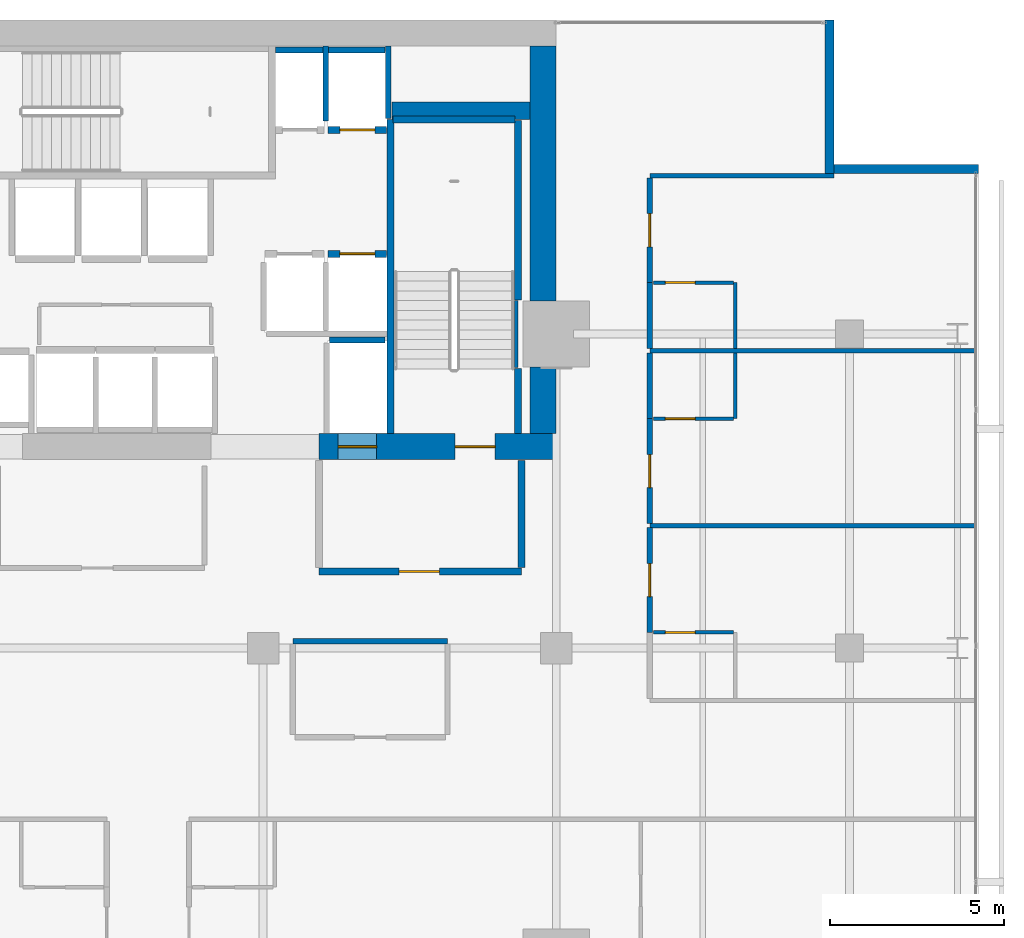
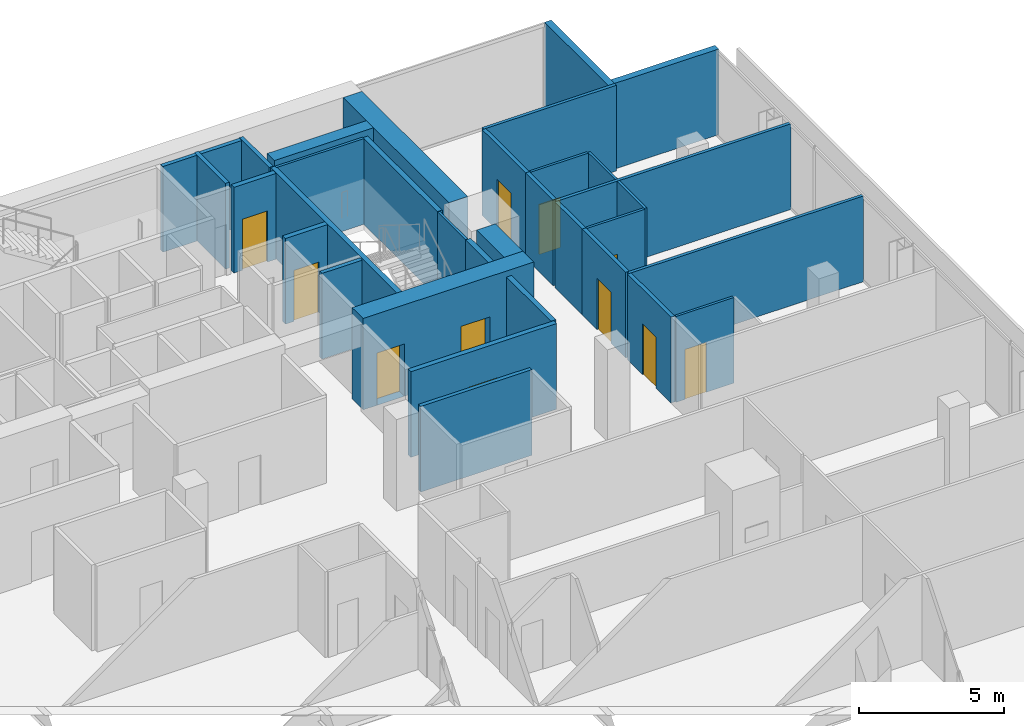
# One storey, part 31 of 34: 33 walls, 11 doors, 11 openings.
"""IFC4 building model written with IfcOpenShell, lengths in metres."""

from ifc_helpers import new_model, si_unit, direction, frame, frame_2d, origin, place, context, subcontext, project, spatial, rectangle, extrude, material, layer, layer_set, type_object, element, fill, save


model = new_model("IFC4")

# Units and contexts
model_context = context("Model", 3, precision=1e-05, world=origin(), true_north=direction((0.0, 1.0)))
body_context = subcontext(model_context, "Body", "Model", "MODEL_VIEW")
ifc_project = project(units=[si_unit("LENGTHUNIT", "METRE"), si_unit("AREAUNIT", "SQUARE_METRE"), si_unit("VOLUMEUNIT", "CUBIC_METRE"), si_unit("PLANEANGLEUNIT", "RADIAN"), si_unit("MASSUNIT", "GRAM", prefix="KILO")], contexts=[model_context])

# Site, building, storey
site_placement = place(None, origin())
site = spatial("IfcSite", under=ifc_project, at=site_placement, CompositionType="ELEMENT")
building_placement = place(site_placement, origin())
building = spatial("IfcBuilding", under=site, at=building_placement, Name="Maruvema Waterfront Hotel and Observation Tower", CompositionType="ELEMENT")
storey_placement = place(building_placement, frame((0.0, 0.0, 173.60009765625)))
storey = spatial("IfcBuildingStorey", under=building, at=storey_placement, Name="L42", CompositionType="ELEMENT", Elevation=173.60009765625)

# Wall
ifc_material_1 = material(Name="Twin-stud acoustic gypsum drywall", Category="gypsum")
ifc_layer_1 = layer(ifc_material_1, 0.14990234375, Name="Acoustic Corridor and Suite Demising Wall 150 mm")
ifc_layer_set_1 = layer_set([ifc_layer_1], Name="Twin-stud acoustic gypsum drywall")
wall_type_1 = type_object("IfcWallType", Name="Acoustic Corridor and Suite Demising Wall 150 mm", PredefinedType="PARTITIONING", material=ifc_layer_set_1)
wall_1_placement = place(storey_placement, frame((42.85009765625, 36.199951171875, 0.0), z_axis=(0.0, 0.0, 1.0), x_axis=(1.0, 0.0, 0.0)))
element("IfcWall", 1, at=wall_1_placement, inside=storey, type_object=wall_type_1, Name="L42 L42-M2 Back Wall 025", PredefinedType="PARTITIONING", context=body_context, shape_type="SweptSolid", body=[
    extrude(rectangle(XDim=4.429931640625, YDim=0.14990234375, at=frame_2d((2.21484375, 0.0))), origin(), (0.0, 0.0, 1.0), 3.60986328125),
])

# Wall, opening, door
wall_2_placement = place(storey_placement, frame((53.080078125, 36.449951171875, 0.0), z_axis=(0.0, 0.0, 1.0), x_axis=(0.0, 1.0, 0.0)))
wall_2 = element("IfcWall", 2, at=wall_2_placement, inside=storey, type_object=wall_type_1, Name="L42 Room L42-NE1 Corridor Wall 114", PredefinedType="PARTITIONING", context=body_context, shape_type="SweptSolid", body=[
    extrude(rectangle(XDim=3.00244140625, YDim=0.14990234375, at=frame_2d((1.501220703125, 0.0))), origin(), (0.0, 0.0, 1.0), 3.60986328125),
])
opening_1_placement = place(wall_2_placement, frame((1.026123046875, 0.0, 0.0)))
opening_1 = element("IfcOpeningElement", 3, at=opening_1_placement, cuts=wall_2, Name="Opening DR-095", PredefinedType="OPENING", context=body_context, shape_type="SweptSolid", body=[
    extrude(rectangle(XDim=0.949951171875, YDim=2.14990234375, at=frame_2d((0.47509765625, 1.074951171875))), frame((0.0, 0.0849609375, 0.0), z_axis=(0.0, -1.0, 0.0), x_axis=(1.0, 0.0, 0.0)), (0.0, 0.0, 1.0), 0.169921875),
])
ifc_material_2 = material(Name="Acoustic solid-core hardwood timber leaf", Category="wood")
door_type_1 = type_object("IfcDoorType", Name="Guestroom Entrance Fire Door 950x2150 mm", OperationType="NOTDEFINED", PredefinedType="DOOR", material=ifc_material_2)
door_1_placement = place(opening_1_placement, frame((0.949951171875, 0.0, 0.0), z_axis=(0.0, 0.0, 1.0), x_axis=(-1.0, 0.0, 0.0)))
door_1 = element("IfcDoor", 4, at=door_1_placement, inside=storey, type_object=door_type_1, Name="L42 Room L42-NE1 Entrance Door", OperationType="SINGLE_SWING_LEFT", OverallHeight=2.14990234375, OverallWidth=0.949951171875, PredefinedType="DOOR", context=body_context, shape_type="SweptSolid", body=[
    extrude(rectangle(XDim=0.949951171875, YDim=2.14990234375, at=frame_2d((0.47509765625, 1.074951171875))), frame((0.0, 0.02490234375, 0.0), z_axis=(0.0, -1.0, 0.0), x_axis=(1.0, 0.0, 0.0)), (0.0, 0.0, 1.0), 0.050048828125),
])
fill(opening_1, door_1)

wall_3_placement = place(storey_placement, frame((53.080078125, 39.572509765625, 0.0), z_axis=(0.0, 0.0, 1.0), x_axis=(0.0, 1.0, 0.0)))
wall_3 = element("IfcWall", 5, at=wall_3_placement, inside=storey, type_object=wall_type_1, Name="L42 Room L42-NE2 Corridor Wall 123", PredefinedType="PARTITIONING", context=body_context, shape_type="SweptSolid", body=[
    extrude(rectangle(XDim=3.00244140625, YDim=0.14990234375, at=frame_2d((1.501220703125, 0.0))), origin(), (0.0, 0.0, 1.0), 3.60986328125),
])
opening_2_placement = place(wall_3_placement, frame((1.0263671875, 0.0, 0.0)))
opening_2 = element("IfcOpeningElement", 6, at=opening_2_placement, cuts=wall_3, Name="Opening DR-095", PredefinedType="OPENING", context=body_context, shape_type="SweptSolid", body=[
    extrude(rectangle(XDim=0.949951171875, YDim=2.14990234375, at=frame_2d((0.47509765625, 1.074951171875))), frame((0.0, 0.0849609375, 0.0), z_axis=(0.0, -1.0, 0.0), x_axis=(1.0, 0.0, 0.0)), (0.0, 0.0, 1.0), 0.169921875),
])
door_2_placement = place(opening_2_placement, frame((0.949951171875, 0.0, 0.0), z_axis=(0.0, 0.0, 1.0), x_axis=(-1.0, 0.0, 0.0)))
door_2 = element("IfcDoor", 7, at=door_2_placement, inside=storey, type_object=door_type_1, Name="L42 Room L42-NE2 Entrance Door", OperationType="SINGLE_SWING_LEFT", OverallHeight=2.14990234375, OverallWidth=0.949951171875, PredefinedType="DOOR", context=body_context, shape_type="SweptSolid", body=[
    extrude(rectangle(XDim=0.949951171875, YDim=2.14990234375, at=frame_2d((0.47509765625, 1.074951171875))), frame((0.0, 0.02490234375, 0.0), z_axis=(0.0, -1.0, 0.0), x_axis=(1.0, 0.0, 0.0)), (0.0, 0.0, 1.0), 0.050048828125),
])
fill(opening_2, door_2)

# Walls
for number, where, z_axis, x_axis, name in (
    (8, (53.080078125, 42.574951171875, 0.0), (0.0, 0.0, 1.0), (0.0, 1.0, 0.0), "L42 Bath L42-NE2 Wall 124"),
    (9, (53.080078125, 44.5849609375, 0.0), (0.0, 0.0, 1.0), (0.0, 1.0, 0.0), "L42 Bath L42-NE3 Wall 133"),
):
    element("IfcWall", number, at=place(storey_placement, frame(where, z_axis=z_axis, x_axis=x_axis)), inside=storey, type_object=wall_type_1, Name=name, PredefinedType="PARTITIONING", context=body_context, shape_type="SweptSolid", body=[
        extrude(rectangle(XDim=1.89013671875, YDim=0.14990234375, at=frame_2d((0.945068359375, 0.0))), origin(), (0.0, 0.0, 1.0), 3.60986328125),
    ])

# Wall, opening, door
wall_4_placement = place(storey_placement, frame((53.080078125, 46.47509765625, 0.0), z_axis=(0.0, 0.0, 1.0), x_axis=(0.0, 1.0, 0.0)))
wall_4 = element("IfcWall", 10, at=wall_4_placement, inside=storey, type_object=wall_type_1, Name="L42 Room L42-NE3 Corridor Wall 134", PredefinedType="PARTITIONING", context=body_context, shape_type="SweptSolid", body=[
    extrude(rectangle(XDim=3.00244140625, YDim=0.14990234375, at=frame_2d((1.501220703125, 0.0))), origin(), (0.0, 0.0, 1.0), 3.60986328125),
])
opening_3_placement = place(wall_4_placement, frame((1.026123046875, 0.0, 0.0)))
opening_3 = element("IfcOpeningElement", 11, at=opening_3_placement, cuts=wall_4, Name="Opening DR-095", PredefinedType="OPENING", context=body_context, shape_type="SweptSolid", body=[
    extrude(rectangle(XDim=0.949951171875, YDim=2.14990234375, at=frame_2d((0.47509765625, 1.074951171875))), frame((0.0, 0.0849609375, 0.0), z_axis=(0.0, -1.0, 0.0), x_axis=(1.0, 0.0, 0.0)), (0.0, 0.0, 1.0), 0.169921875),
])
door_3_placement = place(opening_3_placement, frame((0.949951171875, 0.0, 0.0), z_axis=(0.0, 0.0, 1.0), x_axis=(-1.0, 0.0, 0.0)))
door_3 = element("IfcDoor", 12, at=door_3_placement, inside=storey, type_object=door_type_1, Name="L42 Room L42-NE3 Entrance Door", OperationType="SINGLE_SWING_LEFT", OverallHeight=2.14990234375, OverallWidth=0.949951171875, PredefinedType="DOOR", context=body_context, shape_type="SweptSolid", body=[
    extrude(rectangle(XDim=0.949951171875, YDim=2.14990234375, at=frame_2d((0.47509765625, 1.074951171875))), frame((0.0, 0.02490234375, 0.0), z_axis=(0.0, -1.0, 0.0), x_axis=(1.0, 0.0, 0.0)), (0.0, 0.0, 1.0), 0.050048828125),
])
fill(opening_3, door_3)

# Walls
ifc_material_3 = material(Name="Precast concrete C45/55", Category="concrete")
ifc_layer_2 = layer(ifc_material_3, 0.199951171875, Name="Core Shaft and Stairwell Enclosure Wall 200 mm")
ifc_layer_set_2 = layer_set([ifc_layer_2], Name="Precast concrete C45/55")
wall_type_2 = type_object("IfcWallType", Name="Core Shaft and Stairwell Enclosure Wall 200 mm", PredefinedType="SOLIDWALL", material=ifc_layer_set_2)
wall_5_placement = place(storey_placement, frame((45.64990234375, 42.14990234375, 0.0), z_axis=(0.0, 0.0, 1.0), x_axis=(0.0, 1.0, 0.0)))
element("IfcWall", 13, at=wall_5_placement, inside=storey, type_object=wall_type_2, Name="L42 Stairwell ST-03 West Shaft Wall", PredefinedType="SOLIDWALL", context=body_context, shape_type="SweptSolid", body=[
    extrude(rectangle(XDim=9.0, YDim=0.199951171875, at=frame_2d((4.5, 0.0))), origin(), (0.0, 0.0, 1.0), 3.60986328125),
])
wall_6_placement = place(storey_placement, frame((49.300048828125, 42.14990234375, 0.0), z_axis=(0.0, 0.0, 1.0), x_axis=(0.0, 1.0, 0.0)))
element("IfcWall", 14, at=wall_6_placement, inside=storey, type_object=wall_type_2, Name="L42 Stairwell ST-03 Shaft Lining Wall", PredefinedType="SOLIDWALL", context=body_context, shape_type="SweptSolid", body=[
    extrude(rectangle(XDim=1.8701171875, YDim=0.199951171875, at=frame_2d((0.93505859375, 0.0))), origin(), (0.0, 0.0, 1.0), 3.60986328125),
])
wall_7_placement = place(storey_placement, frame((49.300048828125, 45.97998046875, 0.0), z_axis=(0.0, 0.0, 1.0), x_axis=(0.0, 1.0, 0.0)))
element("IfcWall", 15, at=wall_7_placement, inside=storey, type_object=wall_type_2, Name="L42 Stairwell ST-03 Shaft Lining Wall", PredefinedType="SOLIDWALL", context=body_context, shape_type="SweptSolid", body=[
    extrude(rectangle(XDim=5.14013671875, YDim=0.199951171875, at=frame_2d((2.570068359375, 0.0))), origin(), (0.0, 0.0, 1.0), 3.60986328125),
])
wall_8_placement = place(storey_placement, frame((45.719970703125, 51.14990234375, 0.0), z_axis=(0.0, 0.0, 1.0), x_axis=(1.0, 0.0, 0.0)))
element("IfcWall", 16, at=wall_8_placement, inside=storey, type_object=wall_type_2, Name="L42 Stairwell ST-03 Shaft Lining Wall", PredefinedType="SOLIDWALL", context=body_context, shape_type="SweptSolid", body=[
    extrude(rectangle(XDim=3.5, YDim=0.199951171875, at=frame_2d((1.75, 0.0))), origin(), (0.0, 0.0, 1.0), 3.60986328125),
])

# Wall, opening, door
wall_9_placement = place(storey_placement, frame((43.860107421875, 47.300048828125, 0.0), z_axis=(0.0, 0.0, 1.0), x_axis=(1.0, 0.0, 0.0)))
wall_9 = element("IfcWall", 17, at=wall_9_placement, inside=storey, type_object=wall_type_2, Name="L42 Lift LF-06 Hoistway Front Wall", PredefinedType="SOLIDWALL", context=body_context, shape_type="SweptSolid", body=[
    extrude(rectangle(XDim=1.679931640625, YDim=0.199951171875, at=frame_2d((0.83984375, 0.0))), origin(), (0.0, 0.0, 1.0), 3.60986328125),
])
opening_4_placement = place(wall_9_placement, frame((0.340087890625, 0.0, 0.0)))
opening_4 = element("IfcOpeningElement", 18, at=opening_4_placement, cuts=wall_9, Name="Opening LD-01", PredefinedType="OPENING", context=body_context, shape_type="SweptSolid", body=[
    extrude(rectangle(XDim=1.0, YDim=2.14990234375, at=frame_2d((0.5, 1.074951171875))), frame((0.0, 0.10986328125, 0.0), z_axis=(0.0, -1.0, 0.0), x_axis=(1.0, 0.0, 0.0)), (0.0, 0.0, 1.0), 0.219970703125),
])
ifc_material_4 = material(Name="Brushed stainless steel Grade 316", Category="steel")
door_type_2 = type_object("IfcDoorType", Name="Passenger Lift Sliding Landing Door 1000x2150 mm", OperationType="SLIDING_TO_LEFT", PredefinedType="DOOR", material=ifc_material_4)
door_4_placement = place(opening_4_placement, origin())
door_4 = element("IfcDoor", 19, at=door_4_placement, inside=storey, type_object=door_type_2, Name="L42 Lift LF-06 Sliding Landing Door", OperationType="SLIDING_TO_LEFT", OverallHeight=2.14990234375, OverallWidth=1.0, PredefinedType="DOOR", context=body_context, shape_type="SweptSolid", body=[
    extrude(rectangle(XDim=1.0, YDim=2.14990234375, at=frame_2d((0.5, 1.074951171875))), frame((0.0, 0.02490234375, 0.0), z_axis=(0.0, -1.0, 0.0), x_axis=(1.0, 0.0, 0.0)), (0.0, 0.0, 1.0), 0.050048828125),
])
fill(opening_4, door_4)

wall_10_placement = place(storey_placement, frame((43.860107421875, 50.85009765625, 0.0), z_axis=(0.0, 0.0, 1.0), x_axis=(1.0, 0.0, 0.0)))
wall_10 = element("IfcWall", 20, at=wall_10_placement, inside=storey, type_object=wall_type_2, Name="L42 Lift LF-08 Hoistway Front Wall", PredefinedType="SOLIDWALL", context=body_context, shape_type="SweptSolid", body=[
    extrude(rectangle(XDim=1.679931640625, YDim=0.199951171875, at=frame_2d((0.83984375, 0.0))), origin(), (0.0, 0.0, 1.0), 3.60986328125),
])
opening_5_placement = place(wall_10_placement, frame((0.340087890625, 0.0, 0.0)))
opening_5 = element("IfcOpeningElement", 21, at=opening_5_placement, cuts=wall_10, Name="Opening LD-01", PredefinedType="OPENING", context=body_context, shape_type="SweptSolid", body=[
    extrude(rectangle(XDim=1.0, YDim=2.14990234375, at=frame_2d((0.5, 1.074951171875))), frame((0.0, 0.10986328125, 0.0), z_axis=(0.0, -1.0, 0.0), x_axis=(1.0, 0.0, 0.0)), (0.0, 0.0, 1.0), 0.219970703125),
])
door_5_placement = place(opening_5_placement, frame((1.0, 0.0, 0.0), z_axis=(0.0, 0.0, 1.0), x_axis=(-1.0, 0.0, 0.0)))
door_5 = element("IfcDoor", 22, at=door_5_placement, inside=storey, type_object=door_type_2, Name="L42 Lift LF-08 Sliding Landing Door", OperationType="SLIDING_TO_LEFT", OverallHeight=2.14990234375, OverallWidth=1.0, PredefinedType="DOOR", context=body_context, shape_type="SweptSolid", body=[
    extrude(rectangle(XDim=1.0, YDim=2.14990234375, at=frame_2d((0.5, 1.074951171875))), frame((0.0, 0.02490234375, 0.0), z_axis=(0.0, -1.0, 0.0), x_axis=(1.0, 0.0, 0.0)), (0.0, 0.0, 1.0), 0.050048828125),
])
fill(opening_5, door_5)

# Wall
ifc_material_5 = material(Name="Concrete C70/85", Category="concrete")
ifc_layer_3 = layer(ifc_material_5, 0.5, Name="Core Shear Wall 500 mm")
ifc_layer_set_3 = layer_set([ifc_layer_3], Name="Concrete C70/85")
wall_type_3 = type_object("IfcWallType", Name="Core Shear Wall 500 mm", PredefinedType="SHEAR", material=ifc_layer_set_3)
wall_11_placement = place(storey_placement, frame((45.699951171875, 51.39990234375, 0.0), z_axis=(0.0, 0.0, 1.0), x_axis=(1.0, 0.0, 0.0)))
element("IfcWall", 23, at=wall_11_placement, inside=storey, type_object=wall_type_3, Name="L42 Internal Core Shear Wall NE 500 mm", PredefinedType="SHEAR", context=body_context, shape_type="SweptSolid", body=[
    extrude(rectangle(XDim=3.949951171875, YDim=0.5, at=frame_2d((1.97509765625, 0.0))), origin(), (0.0, 0.0, 1.0), 3.849853515625),
])

# Wall, openings, doors
ifc_material_6 = material(Name="Concrete C70/85", Category="concrete")
ifc_layer_4 = layer(ifc_material_6, 0.75, Name="Core Shear Wall 750 mm")
ifc_layer_set_4 = layer_set([ifc_layer_4], Name="Concrete C70/85")
wall_type_4 = type_object("IfcWallType", Name="Core Shear Wall 750 mm", PredefinedType="SHEAR", material=ifc_layer_set_4)
wall_12_placement = place(storey_placement, frame((43.60009765625, 41.77490234375, 0.0), z_axis=(0.0, 0.0, 1.0), x_axis=(1.0, 0.0, 0.0)))
wall_12 = element("IfcWall", 24, at=wall_12_placement, inside=storey, type_object=wall_type_4, Name="L42 South-East Core Shear Wall", PredefinedType="SHEAR", context=body_context, shape_type="SweptSolid", body=[
    extrude(rectangle(XDim=6.7998046875, YDim=0.75, at=frame_2d((3.39990234375, 0.0))), origin(), (0.0, 0.0, 1.0), 3.849853515625),
])
opening_6_placement = place(wall_12_placement, frame((3.89990234375, 0.0, 0.0)))
opening_6 = element("IfcOpeningElement", 25, at=opening_6_placement, cuts=wall_12, Name="Opening SD-01", PredefinedType="OPENING", context=body_context, shape_type="SweptSolid", body=[
    extrude(rectangle(XDim=1.14990234375, YDim=2.14990234375, at=frame_2d((0.574951171875, 1.074951171875))), frame((0.0, 0.385009765625, 0.0), z_axis=(0.0, -1.0, 0.0), x_axis=(1.0, 0.0, 0.0)), (0.0, 0.0, 1.0), 0.77001953125),
])
opening_7_placement = place(wall_12_placement, frame((0.550048828125, 0.0, 0.0)))
opening_7 = element("IfcOpeningElement", 26, at=opening_7_placement, cuts=wall_12, Name="Opening LD-03", PredefinedType="OPENING", context=body_context, shape_type="SweptSolid", body=[
    extrude(rectangle(XDim=1.10009765625, YDim=2.199951171875, at=frame_2d((0.550048828125, 1.10009765625))), frame((0.0, 0.385009765625, 0.0), z_axis=(0.0, -1.0, 0.0), x_axis=(1.0, 0.0, 0.0)), (0.0, 0.0, 1.0), 0.77001953125),
])
ifc_material_7 = material(Name="Fire-rated galvanised steel leaf", Category="steel")
door_type_3 = type_object("IfcDoorType", Name="Exit Stair Fire Door 1150x2150 mm", OperationType="NOTDEFINED", PredefinedType="DOOR", material=ifc_material_7)
door_6_placement = place(opening_6_placement, origin())
door_6 = element("IfcDoor", 27, at=door_6_placement, inside=storey, type_object=door_type_3, Name="L42 Exit Stair ST-03 Fire Door", OperationType="SINGLE_SWING_RIGHT", OverallHeight=2.14990234375, OverallWidth=1.14990234375, PredefinedType="DOOR", context=body_context, shape_type="SweptSolid", body=[
    extrude(rectangle(XDim=1.14990234375, YDim=2.14990234375, at=frame_2d((0.574951171875, 1.074951171875))), frame((0.0, 0.02490234375, 0.0), z_axis=(0.0, -1.0, 0.0), x_axis=(1.0, 0.0, 0.0)), (0.0, 0.0, 1.0), 0.050048828125),
])
fill(opening_6, door_6)
ifc_material_8 = material(Name="Brushed stainless steel Grade 316", Category="steel")
door_type_4 = type_object("IfcDoorType", Name="Firefighting Lift Sliding Landing Door 1100x2200 mm", OperationType="SLIDING_TO_LEFT", PredefinedType="DOOR", material=ifc_material_8)
door_7_placement = place(opening_7_placement, frame((1.10009765625, 0.0, 0.0), z_axis=(0.0, 0.0, 1.0), x_axis=(-1.0, 0.0, 0.0)))
door_7 = element("IfcDoor", 28, at=door_7_placement, inside=storey, type_object=door_type_4, Name="L42 Firefighting Lift FL-02 Landing Door", OperationType="SLIDING_TO_LEFT", OverallHeight=2.199951171875, OverallWidth=1.10009765625, PredefinedType="DOOR", context=body_context, shape_type="SweptSolid", body=[
    extrude(rectangle(XDim=1.10009765625, YDim=2.199951171875, at=frame_2d((0.550048828125, 1.10009765625))), frame((0.0, 0.02490234375, 0.0), z_axis=(0.0, -1.0, 0.0), x_axis=(1.0, 0.0, 0.0)), (0.0, 0.0, 1.0), 0.050048828125),
])
fill(opening_7, door_7)

# Walls
wall_13_placement = place(storey_placement, frame((50.02490234375, 42.14990234375, 0.0), z_axis=(0.0, 0.0, 1.0), x_axis=(0.0, 1.0, 0.0)))
element("IfcWall", 29, at=wall_13_placement, inside=storey, type_object=wall_type_4, Name="L42 East-South Core Shear Wall", PredefinedType="SHEAR", context=body_context, shape_type="SweptSolid", body=[
    extrude(rectangle(XDim=1.900146484375, YDim=0.75, at=frame_2d((0.9501953125, 0.0))), origin(), (0.0, 0.0, 1.0), 3.849853515625),
])
wall_14_placement = place(storey_placement, frame((50.02490234375, 45.949951171875, 0.0), z_axis=(0.0, 0.0, 1.0), x_axis=(0.0, 1.0, 0.0)))
element("IfcWall", 30, at=wall_14_placement, inside=storey, type_object=wall_type_4, Name="L42 East-North Core Shear Wall", PredefinedType="SHEAR", context=body_context, shape_type="SweptSolid", body=[
    extrude(rectangle(XDim=7.300048828125, YDim=0.75, at=frame_2d((3.64990234375, 0.0))), origin(), (0.0, 0.0, 1.0), 3.849853515625),
])

# Wall, opening, door
ifc_material_9 = material(Name="Moisture-resistant cement-board drywall", Category="gypsum")
ifc_layer_5 = layer(ifc_material_9, 0.10009765625, Name="En-Suite Moisture-Resistant Partition 100 mm")
ifc_layer_set_5 = layer_set([ifc_layer_5], Name="Moisture-resistant cement-board drywall")
wall_type_5 = type_object("IfcWallType", Name="En-Suite Moisture-Resistant Partition 100 mm", PredefinedType="PARTITIONING", material=ifc_layer_set_5)
wall_15_placement = place(storey_placement, frame((53.179931640625, 36.449951171875, 0.0), z_axis=(0.0, 0.0, 1.0), x_axis=(1.0, 0.0, 0.0)))
wall_15 = element("IfcWall", 31, at=wall_15_placement, inside=storey, type_object=wall_type_5, Name="L42 En-Suite L42-NE1 N 116", PredefinedType="PARTITIONING", context=body_context, shape_type="SweptSolid", body=[
    extrude(rectangle(XDim=2.300048828125, YDim=0.10009765625, at=frame_2d((1.14990234375, 0.0))), origin(), (0.0, 0.0, 1.0), 3.60986328125),
])
opening_8_placement = place(wall_15_placement, frame((0.35009765625, 0.0, 0.0)))
opening_8 = element("IfcOpeningElement", 32, at=opening_8_placement, cuts=wall_15, Name="Opening DR-085", PredefinedType="OPENING", context=body_context, shape_type="SweptSolid", body=[
    extrude(rectangle(XDim=0.85009765625, YDim=2.10009765625, at=frame_2d((0.425048828125, 1.050048828125))), frame((0.0, 0.06005859375, 0.0), z_axis=(0.0, -1.0, 0.0), x_axis=(1.0, 0.0, 0.0)), (0.0, 0.0, 1.0), 0.1201171875),
])
ifc_material_10 = material(Name="Moisture-resistant solid timber leaf", Category="wood")
door_type_5 = type_object("IfcDoorType", Name="En-Suite Bathroom Door 850x2100 mm", OperationType="NOTDEFINED", PredefinedType="DOOR", material=ifc_material_10)
door_8_placement = place(opening_8_placement, origin())
door_8 = element("IfcDoor", 33, at=door_8_placement, inside=storey, type_object=door_type_5, Name="L42 En-Suite L42-NE1 Door", OperationType="SINGLE_SWING_RIGHT", OverallHeight=2.10009765625, OverallWidth=0.85009765625, PredefinedType="DOOR", context=body_context, shape_type="SweptSolid", body=[
    extrude(rectangle(XDim=0.85009765625, YDim=2.10009765625, at=frame_2d((0.425048828125, 1.050048828125))), frame((0.0, 0.02490234375, 0.0), z_axis=(0.0, -1.0, 0.0), x_axis=(1.0, 0.0, 0.0)), (0.0, 0.0, 1.0), 0.050048828125),
])
fill(opening_8, door_8)

# Wall
wall_16_placement = place(storey_placement, frame((55.530029296875, 42.574951171875, 0.0), z_axis=(0.0, 0.0, 1.0), x_axis=(0.0, 1.0, 0.0)))
element("IfcWall", 34, at=wall_16_placement, inside=storey, type_object=wall_type_5, Name="L42 En-Suite L42-NE2 E 125", PredefinedType="PARTITIONING", context=body_context, shape_type="SweptSolid", body=[
    extrude(rectangle(XDim=1.89013671875, YDim=0.10009765625, at=frame_2d((0.945068359375, 0.0))), origin(), (0.0, 0.0, 1.0), 3.60986328125),
])

# Wall, opening, door
wall_17_placement = place(storey_placement, frame((53.179931640625, 42.574951171875, 0.0), z_axis=(0.0, 0.0, 1.0), x_axis=(1.0, 0.0, 0.0)))
wall_17 = element("IfcWall", 35, at=wall_17_placement, inside=storey, type_object=wall_type_5, Name="L42 En-Suite L42-NE2 S 126", PredefinedType="PARTITIONING", context=body_context, shape_type="SweptSolid", body=[
    extrude(rectangle(XDim=2.300048828125, YDim=0.10009765625, at=frame_2d((1.14990234375, 0.0))), origin(), (0.0, 0.0, 1.0), 3.60986328125),
])
opening_9_placement = place(wall_17_placement, frame((0.35009765625, 0.0, 0.0)))
opening_9 = element("IfcOpeningElement", 36, at=opening_9_placement, cuts=wall_17, Name="Opening DR-085", PredefinedType="OPENING", context=body_context, shape_type="SweptSolid", body=[
    extrude(rectangle(XDim=0.85009765625, YDim=2.10009765625, at=frame_2d((0.425048828125, 1.050048828125))), frame((0.0, 0.06005859375, 0.0), z_axis=(0.0, -1.0, 0.0), x_axis=(1.0, 0.0, 0.0)), (0.0, 0.0, 1.0), 0.1201171875),
])
door_9_placement = place(opening_9_placement, frame((0.85009765625, 0.0, 0.0), z_axis=(0.0, 0.0, 1.0), x_axis=(-1.0, 0.0, 0.0)))
door_9 = element("IfcDoor", 37, at=door_9_placement, inside=storey, type_object=door_type_5, Name="L42 En-Suite L42-NE2 Door", OperationType="SINGLE_SWING_RIGHT", OverallHeight=2.10009765625, OverallWidth=0.85009765625, PredefinedType="DOOR", context=body_context, shape_type="SweptSolid", body=[
    extrude(rectangle(XDim=0.85009765625, YDim=2.10009765625, at=frame_2d((0.425048828125, 1.050048828125))), frame((0.0, 0.02490234375, 0.0), z_axis=(0.0, -1.0, 0.0), x_axis=(1.0, 0.0, 0.0)), (0.0, 0.0, 1.0), 0.050048828125),
])
fill(opening_9, door_9)

# Wall
wall_18_placement = place(storey_placement, frame((55.530029296875, 44.5849609375, 0.0), z_axis=(0.0, 0.0, 1.0), x_axis=(0.0, 1.0, 0.0)))
element("IfcWall", 38, at=wall_18_placement, inside=storey, type_object=wall_type_5, Name="L42 En-Suite L42-NE3 E 135", PredefinedType="PARTITIONING", context=body_context, shape_type="SweptSolid", body=[
    extrude(rectangle(XDim=1.89013671875, YDim=0.10009765625, at=frame_2d((0.945068359375, 0.0))), origin(), (0.0, 0.0, 1.0), 3.60986328125),
])

# Wall, opening, door
wall_19_placement = place(storey_placement, frame((53.179931640625, 46.47509765625, 0.0), z_axis=(0.0, 0.0, 1.0), x_axis=(1.0, 0.0, 0.0)))
wall_19 = element("IfcWall", 39, at=wall_19_placement, inside=storey, type_object=wall_type_5, Name="L42 En-Suite L42-NE3 N 136", PredefinedType="PARTITIONING", context=body_context, shape_type="SweptSolid", body=[
    extrude(rectangle(XDim=2.300048828125, YDim=0.10009765625, at=frame_2d((1.14990234375, 0.0))), origin(), (0.0, 0.0, 1.0), 3.60986328125),
])
opening_10_placement = place(wall_19_placement, frame((0.35009765625, 0.0, 0.0)))
opening_10 = element("IfcOpeningElement", 40, at=opening_10_placement, cuts=wall_19, Name="Opening DR-085", PredefinedType="OPENING", context=body_context, shape_type="SweptSolid", body=[
    extrude(rectangle(XDim=0.85009765625, YDim=2.10009765625, at=frame_2d((0.425048828125, 1.050048828125))), frame((0.0, 0.06005859375, 0.0), z_axis=(0.0, -1.0, 0.0), x_axis=(1.0, 0.0, 0.0)), (0.0, 0.0, 1.0), 0.1201171875),
])
door_10_placement = place(opening_10_placement, origin())
door_10 = element("IfcDoor", 41, at=door_10_placement, inside=storey, type_object=door_type_5, Name="L42 En-Suite L42-NE3 Door", OperationType="SINGLE_SWING_RIGHT", OverallHeight=2.10009765625, OverallWidth=0.85009765625, PredefinedType="DOOR", context=body_context, shape_type="SweptSolid", body=[
    extrude(rectangle(XDim=0.85009765625, YDim=2.10009765625, at=frame_2d((0.425048828125, 1.050048828125))), frame((0.0, 0.02490234375, 0.0), z_axis=(0.0, -1.0, 0.0), x_axis=(1.0, 0.0, 0.0)), (0.0, 0.0, 1.0), 0.050048828125),
])
fill(opening_10, door_10)

# Walls
ifc_material_11 = material(Name="Precast concrete C45/55 with honed Pernambuco granite facing", Category="masonry")
ifc_layer_6 = layer(ifc_material_11, 0.260009765625, Name="Exterior Granite Clad Spandrel and Pier Wall 260 mm")
ifc_layer_set_6 = layer_set([ifc_layer_6], Name="Precast concrete C45/55 with honed Pernambuco granite facing")
wall_type_6 = type_object("IfcWallType", Name="Exterior Granite Clad Spandrel and Pier Wall 260 mm", PredefinedType="SOLIDWALL", material=ifc_layer_set_6)
for number, where, z_axis, x_axis, name in (
    (42, (58.22998046875, 54.0, 0.0), (0.0, 0.0, 1.0), (0.0, -1.0, 0.0), "L42 Corner Notch Granite Pier Wall NE1"),
    (43, (58.10009765625, 49.72998046875, 0.0), (0.0, 0.0, 1.0), (1.0, 0.0, 0.0), "L42 Corner Notch Granite Pier Wall NE2"),
):
    element("IfcWall", number, at=place(storey_placement, frame(where, z_axis=z_axis, x_axis=x_axis)), inside=storey, type_object=wall_type_6, Name=name, PredefinedType="SOLIDWALL", context=body_context, shape_type="SweptSolid", body=[
        extrude(rectangle(XDim=4.39990234375, YDim=0.260009765625, at=frame_2d((2.199951171875, 0.0))), origin(), (0.0, 0.0, 1.0), 3.60986328125),
    ])

# Wall, opening, door
ifc_material_12 = material(Name="Autoclaved cellular concrete blockwork", Category="masonry")
ifc_layer_7 = layer(ifc_material_12, 0.199951171875, Name="Fire Compartment Masonry Wall 200 mm")
ifc_layer_set_7 = layer_set([ifc_layer_7], Name="Autoclaved cellular concrete blockwork")
wall_type_7 = type_object("IfcWallType", Name="Fire Compartment Masonry Wall 200 mm", PredefinedType="PARTITIONING", material=ifc_layer_set_7)
wall_20_placement = place(storey_placement, frame((43.60009765625, 38.199951171875, 0.0), z_axis=(0.0, 0.0, 1.0), x_axis=(1.0, 0.0, 0.0)))
wall_20 = element("IfcWall", 44, at=wall_20_placement, inside=storey, type_object=wall_type_7, Name="L42 FFL East South Wall 004", PredefinedType="PARTITIONING", context=body_context, shape_type="SweptSolid", body=[
    extrude(rectangle(XDim=5.7998046875, YDim=0.199951171875, at=frame_2d((2.89990234375, 0.0))), origin(), (0.0, 0.0, 1.0), 3.60986328125),
])
opening_11_placement = place(wall_20_placement, frame((2.300048828125, 0.0, 0.0)))
opening_11 = element("IfcOpeningElement", 45, at=opening_11_placement, cuts=wall_20, Name="Opening FD-115", PredefinedType="OPENING", context=body_context, shape_type="SweptSolid", body=[
    extrude(rectangle(XDim=1.14990234375, YDim=2.14990234375, at=frame_2d((0.574951171875, 1.074951171875))), frame((0.0, 0.10986328125, 0.0), z_axis=(0.0, -1.0, 0.0), x_axis=(1.0, 0.0, 0.0)), (0.0, 0.0, 1.0), 0.219970703125),
])
ifc_material_13 = material(Name="Fire-rated galvanised steel and vision glass", Category="steel")
door_type_6 = type_object("IfcDoorType", Name="Firefighting Lobby Fire Door 1150x2150 mm", OperationType="NOTDEFINED", PredefinedType="DOOR", material=ifc_material_13)
door_11_placement = place(opening_11_placement, frame((1.14990234375, 0.0, 0.0), z_axis=(0.0, 0.0, 1.0), x_axis=(-1.0, 0.0, 0.0)))
door_11 = element("IfcDoor", 46, at=door_11_placement, inside=storey, type_object=door_type_6, Name="L42 Firefighting Lobby East Door", OperationType="SINGLE_SWING_RIGHT", OverallHeight=2.14990234375, OverallWidth=1.14990234375, PredefinedType="DOOR", context=body_context, shape_type="SweptSolid", body=[
    extrude(rectangle(XDim=1.14990234375, YDim=2.14990234375, at=frame_2d((0.574951171875, 1.074951171875))), frame((0.0, 0.02490234375, 0.0), z_axis=(0.0, -1.0, 0.0), x_axis=(1.0, 0.0, 0.0)), (0.0, 0.0, 1.0), 0.050048828125),
])
fill(opening_11, door_11)

# Walls
wall_21_placement = place(storey_placement, frame((49.39990234375, 38.31005859375, 0.0), z_axis=(0.0, 0.0, 1.0), x_axis=(0.0, 1.0, 0.0)))
element("IfcWall", 47, at=wall_21_placement, inside=storey, type_object=wall_type_7, Name="L42 FFL East East Wall 006", PredefinedType="PARTITIONING", context=body_context, shape_type="SweptSolid", body=[
    extrude(rectangle(XDim=3.06982421875, YDim=0.199951171875, at=frame_2d((1.534912109375, 0.0))), origin(), (0.0, 0.0, 1.0), 3.60986328125),
])
ifc_material_14 = material(Name="Acoustic gypsum plasterboard drywall", Category="gypsum")
ifc_layer_8 = layer(ifc_material_14, 0.125, Name="Guestroom Acoustic Demising Wall 125 mm")
ifc_layer_set_8 = layer_set([ifc_layer_8], Name="Acoustic gypsum plasterboard drywall")
wall_type_8 = type_object("IfcWallType", Name="Guestroom Acoustic Demising Wall 125 mm", PredefinedType="PARTITIONING", material=ifc_layer_set_8)
wall_22_placement = place(storey_placement, frame((53.080078125, 49.53759765625, 0.0), z_axis=(0.0, 0.0, 1.0), x_axis=(1.0, 0.0, 0.0)))
element("IfcWall", 48, at=wall_22_placement, inside=storey, type_object=wall_type_8, Name="L42 Z2 NE Top End 108", PredefinedType="PARTITIONING", context=body_context, shape_type="SweptSolid", body=[
    extrude(rectangle(XDim=5.280029296875, YDim=0.125, at=frame_2d((2.64013671875, 0.0))), origin(), (0.0, 0.0, 1.0), 3.60986328125),
])
for number, where, z_axis, x_axis, name in (
    (49, (53.080078125, 39.512451171875, 0.0), (0.0, 0.0, 1.0), (1.0, 0.0, 0.0), "L42 Z2 NE Demising 2 118"),
    (50, (53.080078125, 44.52490234375, 0.0), (0.0, 0.0, 1.0), (1.0, 0.0, 0.0), "L42 Z2 NE Demising 3 128"),
):
    element("IfcWall", number, at=place(storey_placement, frame(where, z_axis=z_axis, x_axis=x_axis)), inside=storey, type_object=wall_type_8, Name=name, PredefinedType="PARTITIONING", context=body_context, shape_type="SweptSolid", body=[
        extrude(rectangle(XDim=9.31982421875, YDim=0.125, at=frame_2d((4.659912109375, 0.0))), origin(), (0.0, 0.0, 1.0), 3.60986328125),
    ])
ifc_material_15 = material(Name="Precast concrete C45/55", Category="concrete")
ifc_layer_9 = layer(ifc_material_15, 0.159912109375, Name="Lift Hoistway Divider Wall 160 mm")
ifc_layer_set_9 = layer_set([ifc_layer_9], Name="Precast concrete C45/55")
wall_type_9 = type_object("IfcWallType", Name="Lift Hoistway Divider Wall 160 mm", PredefinedType="SOLIDWALL", material=ifc_layer_set_9)
wall_23_placement = place(storey_placement, frame((43.89990234375, 44.830078125, 0.0), z_axis=(0.0, 0.0, 1.0), x_axis=(1.0, 0.0, 0.0)))
element("IfcWall", 51, at=wall_23_placement, inside=storey, type_object=wall_type_9, Name="L42 Lift FL-02 Rear Hoistway Wall", PredefinedType="SOLIDWALL", context=body_context, shape_type="SweptSolid", body=[
    extrude(rectangle(XDim=1.60009765625, YDim=0.159912109375, at=frame_2d((0.800048828125, 0.0))), origin(), (0.0, 0.0, 1.0), 3.60986328125),
])
wall_24_placement = place(storey_placement, frame((45.590087890625, 51.179931640625, 0.0), z_axis=(0.0, 0.0, 1.0), x_axis=(0.0, 1.0, 0.0)))
element("IfcWall", 52, at=wall_24_placement, inside=storey, type_object=wall_type_9, Name="L42 Hoistway Divider Wall", PredefinedType="SOLIDWALL", context=body_context, shape_type="SweptSolid", body=[
    extrude(rectangle(XDim=2.070068359375, YDim=0.159912109375, at=frame_2d((1.03515625, 0.0))), origin(), (0.0, 0.0, 1.0), 3.60986328125),
])
wall_25_placement = place(storey_placement, frame((43.800048828125, 51.10009765625, 0.0), z_axis=(0.0, 0.0, 1.0), x_axis=(0.0, 1.0, 0.0)))
element("IfcWall", 53, at=wall_25_placement, inside=storey, type_object=wall_type_9, Name="L42 Hoistway Divider Wall", PredefinedType="SOLIDWALL", context=body_context, shape_type="SweptSolid", body=[
    extrude(rectangle(XDim=2.14990234375, YDim=0.159912109375, at=frame_2d((1.074951171875, 0.0))), origin(), (0.0, 0.0, 1.0), 3.60986328125),
])
wall_26_placement = place(storey_placement, frame((42.360107421875, 53.139892578125, 0.0), z_axis=(0.0, 0.0, 1.0), x_axis=(1.0, 0.0, 0.0)))
element("IfcWall", 54, at=wall_26_placement, inside=storey, type_object=wall_type_9, Name="L42 Hoistway Divider Wall", PredefinedType="SOLIDWALL", context=body_context, shape_type="SweptSolid", body=[
    extrude(rectangle(XDim=3.139892578125, YDim=0.159912109375, at=frame_2d((1.56982421875, 0.0))), origin(), (0.0, 0.0, 1.0), 3.60986328125),
])
ifc_material_16 = material(Name="Precast concrete C45/55", Category="concrete")
ifc_layer_10 = layer(ifc_material_16, 0.10009765625, Name="Stairwell Stringer Cheek Wall 100 mm")
ifc_layer_set_10 = layer_set([ifc_layer_10], Name="Precast concrete C45/55")
wall_type_10 = type_object("IfcWallType", Name="Stairwell Stringer Cheek Wall 100 mm", PredefinedType="SOLIDWALL", material=ifc_layer_set_10)
wall_27_placement = place(storey_placement, frame((49.248046875, 44.0400390625, 0.0), z_axis=(0.0, 0.0, 1.0), x_axis=(0.0, 1.0, 0.0)))
element("IfcWall", 55, at=wall_27_placement, inside=storey, type_object=wall_type_10, Name="L42 Stairwell ST-03 Mega-Column Cheek Wall", PredefinedType="SOLIDWALL", context=body_context, shape_type="SweptSolid", body=[
    extrude(rectangle(XDim=1.919921875, YDim=0.10009765625, at=frame_2d((0.9599609375, 0.0))), origin(), (0.0, 0.0, 1.0), 3.60986328125),
])

save(model, "model.ifc")
